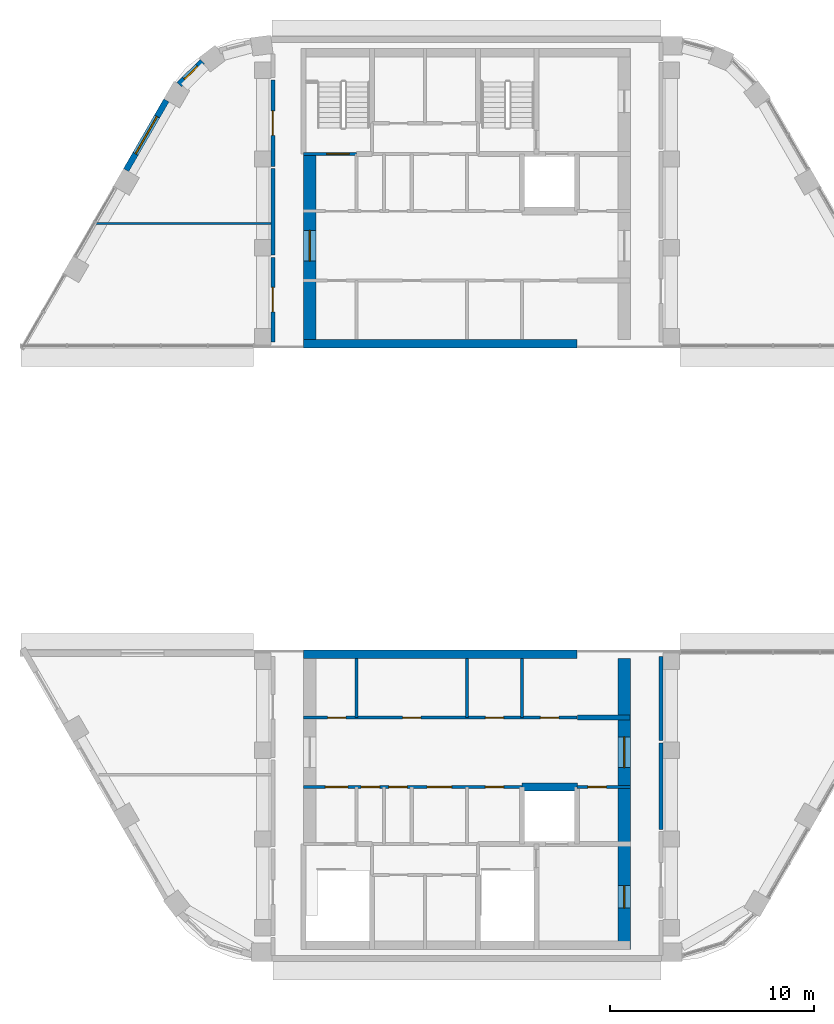
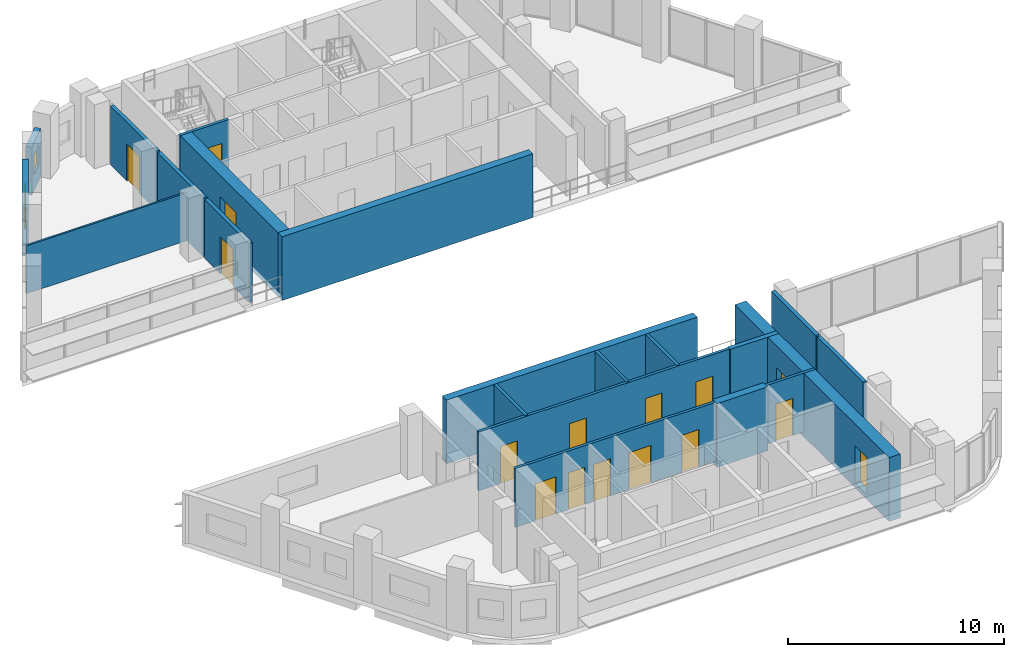
# One storey, part 9 of 13: 22 walls, 16 doors, 2 windows, 18 openings.
"""IFC4 building model written with IfcOpenShell, lengths in metres."""

from ifc_helpers import new_model, si_unit, direction, frame, frame_2d, origin, place, context, subcontext, project, spatial, rectangle, extrude, material, layer, layer_set, type_object, element, fill, save


model = new_model("IFC4")

# Units and contexts
model_context = context("Model", 3, precision=1e-05, world=origin(), true_north=direction((0.0, 1.0)))
body_context = subcontext(model_context, "Body", "Model", "MODEL_VIEW")
ifc_project = project(units=[si_unit("LENGTHUNIT", "METRE"), si_unit("AREAUNIT", "SQUARE_METRE"), si_unit("VOLUMEUNIT", "CUBIC_METRE"), si_unit("PLANEANGLEUNIT", "RADIAN"), si_unit("MASSUNIT", "GRAM", prefix="KILO")], contexts=[model_context])

# Site, building, storey
site_placement = place(None, origin())
site = spatial("IfcSite", under=ifc_project, at=site_placement, CompositionType="ELEMENT")
building_placement = place(site_placement, origin())
building = spatial("IfcBuilding", under=site, at=building_placement, Name="Nakaniwa Court", CompositionType="ELEMENT")
storey_placement = place(building_placement, frame((0.0, 0.0, 286.800048828125)))
storey = spatial("IfcBuildingStorey", under=building, at=storey_placement, Name="C05", CompositionType="ELEMENT", Elevation=286.800048828125)

# Walls
ifc_material_1 = material(Name="Acoustic double stud partition")
ifc_layer_1 = layer(ifc_material_1, 0.199951171875)
ifc_layer_set_1 = layer_set([ifc_layer_1], Name="Acoustic double stud partition")
wall_type_1 = type_object("IfcWallType", Name="Acoustic double stud partition 200", PredefinedType="PARTITIONING", material=ifc_layer_set_1)
wall_1_placement = place(storey_placement, frame((89.5, 63.826904296875, 0.0), z_axis=(0.0, 0.0, 1.0), x_axis=(0.0, 1.0, 0.0)))
element("IfcWall", 1, at=wall_1_placement, inside=storey, type_object=wall_type_1, Name="Partition PW-057", PredefinedType="PARTITIONING", context=body_context, shape_type="SweptSolid", body=[
    extrude(rectangle(XDim=4.236083984375, YDim=0.199951171875, at=frame_2d((2.1181640625, 0.0))), origin(), (0.0, 0.0, 1.0), 3.324951171875),
])
wall_2_placement = place(storey_placement, frame((89.5, 68.177001953125, 0.0), z_axis=(0.0, 0.0, 1.0), x_axis=(0.0, 1.0, 0.0)))
element("IfcWall", 2, at=wall_2_placement, inside=storey, type_object=wall_type_1, Name="Partition PW-058", PredefinedType="PARTITIONING", context=body_context, shape_type="SweptSolid", body=[
    extrude(rectangle(XDim=4.123046875, YDim=0.199951171875, at=frame_2d((2.0615234375, 0.0))), origin(), (0.0, 0.0, 1.0), 3.324951171875),
])

# Wall, opening, door
wall_3_placement = place(storey_placement, frame((70.5, 87.699951171875, 0.0), z_axis=(0.0, 0.0, 1.0), x_axis=(0.0, 1.0, 0.0)))
wall_3 = element("IfcWall", 3, at=wall_3_placement, inside=storey, type_object=wall_type_1, Name="Partition PW-067", PredefinedType="PARTITIONING", context=body_context, shape_type="SweptSolid", body=[
    extrude(rectangle(XDim=4.123046875, YDim=0.199951171875, at=frame_2d((2.0615234375, 0.0))), origin(), (0.0, 0.0, 1.0), 3.324951171875),
])
opening_1_placement = place(wall_3_placement, frame((1.4599609375, 0.0, 0.0)))
opening_1 = element("IfcOpeningElement", 4, at=opening_1_placement, cuts=wall_3, Name="Opening D-30-05", PredefinedType="OPENING", context=body_context, shape_type="SweptSolid", body=[
    extrude(rectangle(XDim=1.199951171875, YDim=2.10009765625, at=frame_2d((0.60009765625, 1.050048828125))), frame((0.0, 0.10986328125, 0.0), z_axis=(0.0, -1.0, 0.0), x_axis=(1.0, 0.0, 0.0)), (0.0, 0.0, 1.0), 0.219970703125),
])
ifc_material_2 = material(Name="Solid core timber door set, black veneer", Category="wood")
door_type_1 = type_object("IfcDoorType", Name="Internal door 1200", OperationType="NOTDEFINED", PredefinedType="DOOR", material=ifc_material_2)
door_1_placement = place(opening_1_placement, origin())
door_1 = element("IfcDoor", 5, at=door_1_placement, inside=storey, type_object=door_type_1, Name="Door D-30-05 C05-035", OperationType="SINGLE_SWING_RIGHT", OverallHeight=2.10009765625, OverallWidth=1.199951171875, PredefinedType="DOOR", context=body_context, shape_type="SweptSolid", body=[
    extrude(rectangle(XDim=1.199951171875, YDim=2.10009765625, at=frame_2d((0.60009765625, 1.050048828125))), frame((0.0, 0.02490234375, 0.0), z_axis=(0.0, -1.0, 0.0), x_axis=(1.0, 0.0, 0.0)), (0.0, 0.0, 1.0), 0.050048828125),
])
fill(opening_1, door_1)

# Wall
wall_4_placement = place(storey_placement, frame((70.5, 91.93701171875, 0.0), z_axis=(0.0, 0.0, 1.0), x_axis=(0.0, 1.0, 0.0)))
element("IfcWall", 6, at=wall_4_placement, inside=storey, type_object=wall_type_1, Name="Partition PW-068", PredefinedType="PARTITIONING", context=body_context, shape_type="SweptSolid", body=[
    extrude(rectangle(XDim=4.236083984375, YDim=0.199951171875, at=frame_2d((2.1181640625, 0.0))), origin(), (0.0, 0.0, 1.0), 3.324951171875),
])

# Wall, opening, door
wall_5_placement = place(storey_placement, frame((70.5, 96.287109375, 0.0), z_axis=(0.0, 0.0, 1.0), x_axis=(0.0, 1.0, 0.0)))
wall_5 = element("IfcWall", 7, at=wall_5_placement, inside=storey, type_object=wall_type_1, Name="Partition PW-069", PredefinedType="PARTITIONING", context=body_context, shape_type="SweptSolid", body=[
    extrude(rectangle(XDim=4.23583984375, YDim=0.199951171875, at=frame_2d((2.117919921875, 0.0))), origin(), (0.0, 0.0, 1.0), 3.324951171875),
])
opening_2_placement = place(wall_5_placement, frame((1.51806640625, 0.0, 0.0)))
opening_2 = element("IfcOpeningElement", 8, at=opening_2_placement, cuts=wall_5, Name="Opening D-30-06", PredefinedType="OPENING", context=body_context, shape_type="SweptSolid", body=[
    extrude(rectangle(XDim=1.199951171875, YDim=2.10009765625, at=frame_2d((0.60009765625, 1.050048828125))), frame((0.0, 0.10986328125, 0.0), z_axis=(0.0, -1.0, 0.0), x_axis=(1.0, 0.0, 0.0)), (0.0, 0.0, 1.0), 0.219970703125),
])
door_2_placement = place(opening_2_placement, origin())
door_2 = element("IfcDoor", 9, at=door_2_placement, inside=storey, type_object=door_type_1, Name="Door D-30-06 C05-036", OperationType="SINGLE_SWING_LEFT", OverallHeight=2.10009765625, OverallWidth=1.199951171875, PredefinedType="DOOR", context=body_context, shape_type="SweptSolid", body=[
    extrude(rectangle(XDim=1.199951171875, YDim=2.10009765625, at=frame_2d((0.60009765625, 1.050048828125))), frame((0.0, 0.02490234375, 0.0), z_axis=(0.0, -1.0, 0.0), x_axis=(1.0, 0.0, 0.0)), (0.0, 0.0, 1.0), 0.050048828125),
])
fill(opening_2, door_2)

# Wall, opening, window
ifc_material_3 = material(Name="Charcoal ceramic cladding")
ifc_layer_2 = layer(ifc_material_3, 0.02, Name="Ceramic cladding")
ifc_material_4 = material(Name="Ventilated air cavity")
ifc_layer_3 = layer(ifc_material_4, 0.04, ventilated=True, Name="Ventilated cavity")
ifc_material_5 = material(Name="Mineral wool insulation")
ifc_layer_4 = layer(ifc_material_5, 0.1, Name="Insulation")
ifc_material_6 = material(Name="Cement bonded sheathing board")
ifc_layer_5 = layer(ifc_material_6, 0.012, Name="Sheathing")
ifc_material_7 = material(Name="Cold-formed galvanised stud frame with mineral wool infill")
ifc_layer_6 = layer(ifc_material_7, 0.1, Name="Stud frame")
ifc_material_8 = material(Name="Fire-rated gypsum plasterboard lining")
ifc_layer_7 = layer(ifc_material_8, 0.028, Name="Lining")
ifc_layer_set_2 = layer_set([ifc_layer_2, ifc_layer_3, ifc_layer_4, ifc_layer_5, ifc_layer_6, ifc_layer_7], Name="Charcoal ceramic faced external wall system")
wall_type_2 = type_object("IfcWallType", Name="Black ceramic faced external wall 300", PredefinedType="SOLIDWALL", material=ifc_layer_set_2)
wall_6_placement = place(storey_placement, frame((65.2890625, 99.52001953125, 0.0), z_axis=(0.0, 0.0, 1.0), x_axis=(-0.499986771468, -0.866033041146, 0.0)))
wall_6 = element("IfcWall", 10, at=wall_6_placement, inside=storey, type_object=wall_type_2, Name="C05 external wall 13", PredefinedType="SOLIDWALL", context=body_context, shape_type="SweptSolid", body=[
    extrude(rectangle(XDim=3.9443359375, YDim=0.300048828125, at=frame_2d((1.97216796875, 0.0))), origin(), (0.0, 0.0, 1.0), 2.724853515625),
])
opening_3_placement = place(wall_6_placement, frame((0.922119140625, 0.0, 0.89990234375)))
opening_3 = element("IfcOpeningElement", 11, at=opening_3_placement, cuts=wall_6, Name="Opening W7.08", PredefinedType="OPENING", context=body_context, shape_type="SweptSolid", body=[
    extrude(rectangle(XDim=2.10009765625, YDim=1.10009765625, at=frame_2d((1.050048828125, 0.550048828125))), frame((0.0, 0.159912109375, 0.0), z_axis=(0.0, -1.0, 0.0), x_axis=(1.0, 0.0, 0.0)), (0.0, 0.0, 1.0), 0.320068359375),
])
ifc_material_9 = material(Name="Black anodised aluminium frame with dark low-E laminated double glazing", Category="aluminium")
window_type_1 = type_object("IfcWindowType", Name="Dark glass window 2100x1100 sill 900", PartitioningType="SINGLE_PANEL", PredefinedType="WINDOW", material=ifc_material_9)
window_1_placement = place(opening_3_placement, origin())
window_1 = element("IfcWindow", 12, at=window_1_placement, inside=storey, type_object=window_type_1, Name="C05 habitable room window 13-0", OverallHeight=1.10009765625, OverallWidth=2.10009765625, PartitioningType="SINGLE_PANEL", PredefinedType="WINDOW", context=body_context, shape_type="SweptSolid", body=[
    extrude(rectangle(XDim=2.10009765625, YDim=1.10009765625, at=frame_2d((1.050048828125, 0.550048828125))), frame((0.0, 0.030029296875, 0.0), z_axis=(0.0, -1.0, 0.0), x_axis=(1.0, 0.0, 0.0)), (0.0, 0.0, 1.0), 0.06005859375),
])
fill(opening_3, window_1)

wall_7_placement = place(storey_placement, frame((67.039306640625, 101.41357421875, 0.0), z_axis=(0.0, 0.0, 1.0), x_axis=(-0.708575326337, -0.705635179754, 0.0)))
wall_7 = element("IfcWall", 13, at=wall_7_placement, inside=storey, type_object=wall_type_2, Name="C05 external wall 25", PredefinedType="SOLIDWALL", context=body_context, shape_type="SweptSolid", body=[
    extrude(rectangle(XDim=1.57763671875, YDim=0.300048828125, at=frame_2d((0.788818359375, 0.0))), origin(), (0.0, 0.0, 1.0), 2.724853515625),
])
opening_4_placement = place(wall_7_placement, frame((0.328369140625, 0.0, 0.89990234375)))
opening_4 = element("IfcOpeningElement", 14, at=opening_4_placement, cuts=wall_7, Name="Opening W9.10", PredefinedType="OPENING", context=body_context, shape_type="SweptSolid", body=[
    extrude(rectangle(XDim=0.89990234375, YDim=1.10009765625, at=frame_2d((0.449951171875, 0.550048828125))), frame((0.0, 0.159912109375, 0.0), z_axis=(0.0, -1.0, 0.0), x_axis=(1.0, 0.0, 0.0)), (0.0, 0.0, 1.0), 0.320068359375),
])
window_type_2 = type_object("IfcWindowType", Name="Dark glass window 900x1100 sill 900", PartitioningType="SINGLE_PANEL", PredefinedType="WINDOW", material=ifc_material_9)
window_2_placement = place(opening_4_placement, origin())
window_2 = element("IfcWindow", 15, at=window_2_placement, inside=storey, type_object=window_type_2, Name="C05 habitable room window 25-0", OverallHeight=1.10009765625, OverallWidth=0.89990234375, PartitioningType="SINGLE_PANEL", PredefinedType="WINDOW", context=body_context, shape_type="SweptSolid", body=[
    extrude(rectangle(XDim=0.89990234375, YDim=1.10009765625, at=frame_2d((0.449951171875, 0.550048828125))), frame((0.0, 0.030029296875, 0.0), z_axis=(0.0, -1.0, 0.0), x_axis=(1.0, 0.0, 0.0)), (0.0, 0.0, 1.0), 0.06005859375),
])
fill(opening_4, window_2)

# Wall
ifc_material_10 = material(Name="Blockwork partition", Category="masonry")
ifc_layer_8 = layer(ifc_material_10, 0.14990234375)
ifc_layer_set_3 = layer_set([ifc_layer_8], Name="Blockwork partition")
wall_type_3 = type_object("IfcWallType", Name="Blockwork partition 150", PredefinedType="PARTITIONING", material=ifc_layer_set_3)
wall_8_placement = place(storey_placement, frame((74.60009765625, 69.300048828125, 0.0), z_axis=(0.0, 0.0, 1.0), x_axis=(0.0, 1.0, 0.0)))
element("IfcWall", 16, at=wall_8_placement, inside=storey, type_object=wall_type_3, Name="Partition PW-029", PredefinedType="PARTITIONING", context=body_context, shape_type="SweptSolid", body=[
    extrude(rectangle(XDim=2.89990234375, YDim=0.14990234375, at=frame_2d((1.449951171875, 0.0))), origin(), (0.0, 0.0, 1.0), 3.324951171875),
])

# Wall, openings, doors
wall_9_placement = place(storey_placement, frame((72.0, 69.300048828125, 0.0), z_axis=(0.0, 0.0, 1.0), x_axis=(1.0, 0.0, 0.0)))
wall_9 = element("IfcWall", 17, at=wall_9_placement, inside=storey, type_object=wall_type_3, Name="Partition PW-030", PredefinedType="PARTITIONING", context=body_context, shape_type="SweptSolid", body=[
    extrude(rectangle(XDim=13.39990234375, YDim=0.14990234375, at=frame_2d((6.699951171875, 0.0))), origin(), (0.0, 0.0, 1.0), 3.324951171875),
])
opening_5_placement = place(wall_9_placement, frame((1.175048828125, 0.0, 0.0)))
opening_5 = element("IfcOpeningElement", 18, at=opening_5_placement, cuts=wall_9, Name="Opening D-05-11", PredefinedType="OPENING", context=body_context, shape_type="SweptSolid", body=[
    extrude(rectangle(XDim=0.89990234375, YDim=2.10009765625, at=frame_2d((0.449951171875, 1.050048828125))), frame((0.0, 0.0849609375, 0.0), z_axis=(0.0, -1.0, 0.0), x_axis=(1.0, 0.0, 0.0)), (0.0, 0.0, 1.0), 0.169921875),
])
opening_6_placement = place(wall_9_placement, frame((4.85009765625, 0.0, 0.0)))
opening_6 = element("IfcOpeningElement", 19, at=opening_6_placement, cuts=wall_9, Name="Opening D-05-12", PredefinedType="OPENING", context=body_context, shape_type="SweptSolid", body=[
    extrude(rectangle(XDim=0.89990234375, YDim=2.10009765625, at=frame_2d((0.449951171875, 1.050048828125))), frame((0.0, 0.0849609375, 0.0), z_axis=(0.0, -1.0, 0.0), x_axis=(1.0, 0.0, 0.0)), (0.0, 0.0, 1.0), 0.169921875),
])
opening_7_placement = place(wall_9_placement, frame((8.89990234375, 0.0, 0.0)))
opening_7 = element("IfcOpeningElement", 20, at=opening_7_placement, cuts=wall_9, Name="Opening D-05-13", PredefinedType="OPENING", context=body_context, shape_type="SweptSolid", body=[
    extrude(rectangle(XDim=0.89990234375, YDim=2.10009765625, at=frame_2d((0.449951171875, 1.050048828125))), frame((0.0, 0.0849609375, 0.0), z_axis=(0.0, -1.0, 0.0), x_axis=(1.0, 0.0, 0.0)), (0.0, 0.0, 1.0), 0.169921875),
])
opening_8_placement = place(wall_9_placement, frame((11.60009765625, 0.0, 0.0)))
opening_8 = element("IfcOpeningElement", 21, at=opening_8_placement, cuts=wall_9, Name="Opening D-05-14", PredefinedType="OPENING", context=body_context, shape_type="SweptSolid", body=[
    extrude(rectangle(XDim=0.89990234375, YDim=2.10009765625, at=frame_2d((0.449951171875, 1.050048828125))), frame((0.0, 0.0849609375, 0.0), z_axis=(0.0, -1.0, 0.0), x_axis=(1.0, 0.0, 0.0)), (0.0, 0.0, 1.0), 0.169921875),
])
ifc_material_11 = material(Name="Fire rated steel door set", Category="steel")
door_type_2 = type_object("IfcDoorType", Name="Service room door 900", OperationType="NOTDEFINED", PredefinedType="DOOR", material=ifc_material_11)
door_3_placement = place(opening_5_placement, origin())
door_3 = element("IfcDoor", 22, at=door_3_placement, inside=storey, type_object=door_type_2, Name="Door D-05-11 C05-016", OperationType="SINGLE_SWING_LEFT", OverallHeight=2.10009765625, OverallWidth=0.89990234375, PredefinedType="DOOR", context=body_context, shape_type="SweptSolid", body=[
    extrude(rectangle(XDim=0.89990234375, YDim=2.10009765625, at=frame_2d((0.449951171875, 1.050048828125))), frame((0.0, 0.02490234375, 0.0), z_axis=(0.0, -1.0, 0.0), x_axis=(1.0, 0.0, 0.0)), (0.0, 0.0, 1.0), 0.050048828125),
])
fill(opening_5, door_3)
door_4_placement = place(opening_6_placement, origin())
door_4 = element("IfcDoor", 23, at=door_4_placement, inside=storey, type_object=door_type_2, Name="Door D-05-12 C05-017", OperationType="SINGLE_SWING_RIGHT", OverallHeight=2.10009765625, OverallWidth=0.89990234375, PredefinedType="DOOR", context=body_context, shape_type="SweptSolid", body=[
    extrude(rectangle(XDim=0.89990234375, YDim=2.10009765625, at=frame_2d((0.449951171875, 1.050048828125))), frame((0.0, 0.02490234375, 0.0), z_axis=(0.0, -1.0, 0.0), x_axis=(1.0, 0.0, 0.0)), (0.0, 0.0, 1.0), 0.050048828125),
])
fill(opening_6, door_4)
door_5_placement = place(opening_7_placement, origin())
door_5 = element("IfcDoor", 24, at=door_5_placement, inside=storey, type_object=door_type_2, Name="Door D-05-13 C05-018", OperationType="SINGLE_SWING_LEFT", OverallHeight=2.10009765625, OverallWidth=0.89990234375, PredefinedType="DOOR", context=body_context, shape_type="SweptSolid", body=[
    extrude(rectangle(XDim=0.89990234375, YDim=2.10009765625, at=frame_2d((0.449951171875, 1.050048828125))), frame((0.0, 0.02490234375, 0.0), z_axis=(0.0, -1.0, 0.0), x_axis=(1.0, 0.0, 0.0)), (0.0, 0.0, 1.0), 0.050048828125),
])
fill(opening_7, door_5)
door_6_placement = place(opening_8_placement, origin())
door_6 = element("IfcDoor", 25, at=door_6_placement, inside=storey, type_object=door_type_2, Name="Door D-05-14 C05-019", OperationType="SINGLE_SWING_RIGHT", OverallHeight=2.10009765625, OverallWidth=0.89990234375, PredefinedType="DOOR", context=body_context, shape_type="SweptSolid", body=[
    extrude(rectangle(XDim=0.89990234375, YDim=2.10009765625, at=frame_2d((0.449951171875, 1.050048828125))), frame((0.0, 0.02490234375, 0.0), z_axis=(0.0, -1.0, 0.0), x_axis=(1.0, 0.0, 0.0)), (0.0, 0.0, 1.0), 0.050048828125),
])
fill(opening_8, door_6)

# Walls
for number, where, z_axis, x_axis, name in (
    (26, (80.0, 69.300048828125, 0.0), (0.0, 0.0, 1.0), (0.0, 1.0, 0.0), "Partition PW-033"),
    (27, (82.699951171875, 69.300048828125, 0.0), (0.0, 0.0, 1.0), (0.0, 1.0, 0.0), "Partition PW-034"),
):
    element("IfcWall", number, at=place(storey_placement, frame(where, z_axis=z_axis, x_axis=x_axis)), inside=storey, type_object=wall_type_3, Name=name, PredefinedType="PARTITIONING", context=body_context, shape_type="SweptSolid", body=[
        extrude(rectangle(XDim=2.89990234375, YDim=0.14990234375, at=frame_2d((1.449951171875, 0.0))), origin(), (0.0, 0.0, 1.0), 3.324951171875),
    ])

# Wall, openings, doors
wall_10_placement = place(storey_placement, frame((82.702880859375, 65.89990234375, 0.0), z_axis=(0.0, 0.0, 1.0), x_axis=(-1.0, 0.0, 0.0)))
wall_10 = element("IfcWall", 28, at=wall_10_placement, inside=storey, type_object=wall_type_3, Name="Partition PW-035", PredefinedType="PARTITIONING", context=body_context, shape_type="SweptSolid", body=[
    extrude(rectangle(XDim=10.702880859375, YDim=0.14990234375, at=frame_2d((5.3515625, 0.0))), origin(), (0.0, 0.0, 1.0), 3.324951171875),
])
opening_9_placement = place(wall_10_placement, frame((8.528076171875, 0.0, 0.0)))
opening_9 = element("IfcOpeningElement", 29, at=opening_9_placement, cuts=wall_10, Name="Opening D-08-02", PredefinedType="OPENING", context=body_context, shape_type="SweptSolid", body=[
    extrude(rectangle(XDim=1.10009765625, YDim=2.10009765625, at=frame_2d((0.550048828125, 1.050048828125))), frame((0.0, 0.0849609375, 0.0), z_axis=(0.0, -1.0, 0.0), x_axis=(1.0, 0.0, 0.0)), (0.0, 0.0, 1.0), 0.169921875),
])
opening_10_placement = place(wall_10_placement, frame((6.97802734375, 0.0, 0.0)))
opening_10 = element("IfcOpeningElement", 30, at=opening_10_placement, cuts=wall_10, Name="Opening D-05-15", PredefinedType="OPENING", context=body_context, shape_type="SweptSolid", body=[
    extrude(rectangle(XDim=0.89990234375, YDim=2.10009765625, at=frame_2d((0.449951171875, 1.050048828125))), frame((0.0, 0.0849609375, 0.0), z_axis=(0.0, -1.0, 0.0), x_axis=(1.0, 0.0, 0.0)), (0.0, 0.0, 1.0), 0.169921875),
])
opening_11_placement = place(wall_10_placement, frame((5.6279296875, 0.0, 0.0)))
opening_11 = element("IfcOpeningElement", 31, at=opening_11_placement, cuts=wall_10, Name="Opening D-05-16", PredefinedType="OPENING", context=body_context, shape_type="SweptSolid", body=[
    extrude(rectangle(XDim=0.89990234375, YDim=2.10009765625, at=frame_2d((0.449951171875, 1.050048828125))), frame((0.0, 0.0849609375, 0.0), z_axis=(0.0, -1.0, 0.0), x_axis=(1.0, 0.0, 0.0)), (0.0, 0.0, 1.0), 0.169921875),
])
opening_12_placement = place(wall_10_placement, frame((3.452880859375, 0.0, 0.0)))
opening_12 = element("IfcOpeningElement", 32, at=opening_12_placement, cuts=wall_10, Name="Opening D-06-02", PredefinedType="OPENING", context=body_context, shape_type="SweptSolid", body=[
    extrude(rectangle(XDim=1.199951171875, YDim=2.10009765625, at=frame_2d((0.60009765625, 1.050048828125))), frame((0.0, 0.0849609375, 0.0), z_axis=(0.0, -1.0, 0.0), x_axis=(1.0, 0.0, 0.0)), (0.0, 0.0, 1.0), 0.169921875),
])
opening_13_placement = place(wall_10_placement, frame((0.903076171875, 0.0, 0.0)))
opening_13 = element("IfcOpeningElement", 33, at=opening_13_placement, cuts=wall_10, Name="Opening D-05-17", PredefinedType="OPENING", context=body_context, shape_type="SweptSolid", body=[
    extrude(rectangle(XDim=0.89990234375, YDim=2.10009765625, at=frame_2d((0.449951171875, 1.050048828125))), frame((0.0, 0.0849609375, 0.0), z_axis=(0.0, -1.0, 0.0), x_axis=(1.0, 0.0, 0.0)), (0.0, 0.0, 1.0), 0.169921875),
])
ifc_material_12 = material(Name="Fire rated steel double door set", Category="steel")
door_type_3 = type_object("IfcDoorType", Name="Service passage double door 1200", OperationType="NOTDEFINED", PredefinedType="DOOR", material=ifc_material_12)
door_7_placement = place(opening_12_placement, origin())
door_7 = element("IfcDoor", 34, at=door_7_placement, inside=storey, type_object=door_type_3, Name="Door D-06-02 C05-023", OperationType="DOUBLE_DOOR_SINGLE_SWING", OverallHeight=2.10009765625, OverallWidth=1.199951171875, PredefinedType="DOOR", context=body_context, shape_type="SweptSolid", body=[
    extrude(rectangle(XDim=1.199951171875, YDim=2.10009765625, at=frame_2d((0.60009765625, 1.050048828125))), frame((0.0, 0.02490234375, 0.0), z_axis=(0.0, -1.0, 0.0), x_axis=(1.0, 0.0, 0.0)), (0.0, 0.0, 1.0), 0.050048828125),
])
fill(opening_12, door_7)
door_8_placement = place(opening_10_placement, origin())
door_8 = element("IfcDoor", 35, at=door_8_placement, inside=storey, type_object=door_type_2, Name="Door D-05-15 C05-021", OperationType="SINGLE_SWING_RIGHT", OverallHeight=2.10009765625, OverallWidth=0.89990234375, PredefinedType="DOOR", context=body_context, shape_type="SweptSolid", body=[
    extrude(rectangle(XDim=0.89990234375, YDim=2.10009765625, at=frame_2d((0.449951171875, 1.050048828125))), frame((0.0, 0.02490234375, 0.0), z_axis=(0.0, -1.0, 0.0), x_axis=(1.0, 0.0, 0.0)), (0.0, 0.0, 1.0), 0.050048828125),
])
fill(opening_10, door_8)
door_9_placement = place(opening_11_placement, origin())
door_9 = element("IfcDoor", 36, at=door_9_placement, inside=storey, type_object=door_type_2, Name="Door D-05-16 C05-022", OperationType="SINGLE_SWING_LEFT", OverallHeight=2.10009765625, OverallWidth=0.89990234375, PredefinedType="DOOR", context=body_context, shape_type="SweptSolid", body=[
    extrude(rectangle(XDim=0.89990234375, YDim=2.10009765625, at=frame_2d((0.449951171875, 1.050048828125))), frame((0.0, 0.02490234375, 0.0), z_axis=(0.0, -1.0, 0.0), x_axis=(1.0, 0.0, 0.0)), (0.0, 0.0, 1.0), 0.050048828125),
])
fill(opening_11, door_9)
door_10_placement = place(opening_13_placement, origin())
door_10 = element("IfcDoor", 37, at=door_10_placement, inside=storey, type_object=door_type_2, Name="Door D-05-17 C05-024", OperationType="SINGLE_SWING_LEFT", OverallHeight=2.10009765625, OverallWidth=0.89990234375, PredefinedType="DOOR", context=body_context, shape_type="SweptSolid", body=[
    extrude(rectangle(XDim=0.89990234375, YDim=2.10009765625, at=frame_2d((0.449951171875, 1.050048828125))), frame((0.0, 0.02490234375, 0.0), z_axis=(0.0, -1.0, 0.0), x_axis=(1.0, 0.0, 0.0)), (0.0, 0.0, 1.0), 0.050048828125),
])
fill(opening_13, door_10)
door_type_4 = type_object("IfcDoorType", Name="Stair lobby door 1100", OperationType="NOTDEFINED", PredefinedType="DOOR", material=ifc_material_11)
door_11_placement = place(opening_9_placement, origin())
door_11 = element("IfcDoor", 38, at=door_11_placement, inside=storey, type_object=door_type_4, Name="Door D-08-02 C05-020", OperationType="SINGLE_SWING_LEFT", OverallHeight=2.10009765625, OverallWidth=1.10009765625, PredefinedType="DOOR", context=body_context, shape_type="SweptSolid", body=[
    extrude(rectangle(XDim=1.10009765625, YDim=2.10009765625, at=frame_2d((0.550048828125, 1.050048828125))), frame((0.0, 0.02490234375, 0.0), z_axis=(0.0, -1.0, 0.0), x_axis=(1.0, 0.0, 0.0)), (0.0, 0.0, 1.0), 0.050048828125),
])
fill(opening_9, door_11)

# Wall, opening, door
wall_11_placement = place(storey_placement, frame((88.0, 65.89990234375, 0.0), z_axis=(0.0, 0.0, 1.0), x_axis=(-1.0, 0.0, 0.0)))
wall_11 = element("IfcWall", 39, at=wall_11_placement, inside=storey, type_object=wall_type_3, Name="Partition PW-036", PredefinedType="PARTITIONING", context=body_context, shape_type="SweptSolid", body=[
    extrude(rectangle(XDim=2.60302734375, YDim=0.14990234375, at=frame_2d((1.301513671875, 0.0))), origin(), (0.0, 0.0, 1.0), 3.324951171875),
])
opening_14_placement = place(wall_11_placement, frame((1.175048828125, 0.0, 0.0)))
opening_14 = element("IfcOpeningElement", 40, at=opening_14_placement, cuts=wall_11, Name="Opening D-05-18", PredefinedType="OPENING", context=body_context, shape_type="SweptSolid", body=[
    extrude(rectangle(XDim=0.89990234375, YDim=2.10009765625, at=frame_2d((0.449951171875, 1.050048828125))), frame((0.0, 0.0849609375, 0.0), z_axis=(0.0, -1.0, 0.0), x_axis=(1.0, 0.0, 0.0)), (0.0, 0.0, 1.0), 0.169921875),
])
door_12_placement = place(opening_14_placement, origin())
door_12 = element("IfcDoor", 41, at=door_12_placement, inside=storey, type_object=door_type_2, Name="Door D-05-18 C05-025", OperationType="SINGLE_SWING_RIGHT", OverallHeight=2.10009765625, OverallWidth=0.89990234375, PredefinedType="DOOR", context=body_context, shape_type="SweptSolid", body=[
    extrude(rectangle(XDim=0.89990234375, YDim=2.10009765625, at=frame_2d((0.449951171875, 1.050048828125))), frame((0.0, 0.02490234375, 0.0), z_axis=(0.0, -1.0, 0.0), x_axis=(1.0, 0.0, 0.0)), (0.0, 0.0, 1.0), 0.050048828125),
])
fill(opening_14, door_12)

ifc_material_13 = material(Name="Concrete C80/100", Category="concrete")
ifc_layer_9 = layer(ifc_material_13, 0.60009765625)
ifc_layer_set_4 = layer_set([ifc_layer_9], Name="Concrete C80/100")
wall_type_4 = type_object("IfcWallType", Name="Concrete core side wall 600 C80", PredefinedType="SHEAR", material=ifc_layer_set_4)
wall_12_placement = place(storey_placement, frame((72.300048828125, 87.800048828125, -0.275146484375), z_axis=(0.0, 0.0, 1.0), x_axis=(0.0, 1.0, 0.0)))
wall_12 = element("IfcWall", 42, at=wall_12_placement, inside=storey, type_object=wall_type_4, Name="Core wall SW-04", PredefinedType="SHEAR", context=body_context, shape_type="SweptSolid", body=[
    extrude(rectangle(XDim=9.099853515625, YDim=0.60009765625, at=frame_2d((4.5498046875, 0.0))), origin(), (0.0, 0.0, 1.0), 3.60009765625),
])
opening_15_placement = place(wall_12_placement, frame((3.85009765625, 0.0, 0.27490234375)))
opening_15 = element("IfcOpeningElement", 43, at=opening_15_placement, cuts=wall_12, Name="Opening D-07-02", PredefinedType="OPENING", context=body_context, shape_type="SweptSolid", body=[
    extrude(rectangle(XDim=1.5, YDim=2.10009765625, at=frame_2d((0.75, 1.050048828125))), frame((0.0, 0.31005859375, 0.0), z_axis=(0.0, -1.0, 0.0), x_axis=(1.0, 0.0, 0.0)), (0.0, 0.0, 1.0), 0.6201171875),
])
ifc_material_14 = material(Name="Glazed fire rated steel double door set", Category="steel")
door_type_5 = type_object("IfcDoorType", Name="Lobby double door 1500", OperationType="NOTDEFINED", PredefinedType="DOOR", material=ifc_material_14)
door_13_placement = place(opening_15_placement, origin())
door_13 = element("IfcDoor", 44, at=door_13_placement, inside=storey, type_object=door_type_5, Name="Door D-07-02 C05-038", OperationType="DOUBLE_DOOR_SINGLE_SWING", OverallHeight=2.10009765625, OverallWidth=1.5, PredefinedType="DOOR", context=body_context, shape_type="SweptSolid", body=[
    extrude(rectangle(XDim=1.5, YDim=2.10009765625, at=frame_2d((0.75, 1.050048828125))), frame((0.0, 0.02490234375, 0.0), z_axis=(0.0, -1.0, 0.0), x_axis=(1.0, 0.0, 0.0)), (0.0, 0.0, 1.0), 0.050048828125),
])
fill(opening_15, door_13)

# Wall, openings, doors
wall_13_placement = place(storey_placement, frame((87.699951171875, 69.300048828125, -0.275146484375), z_axis=(0.0, 0.0, 1.0), x_axis=(0.0, -1.0, 0.0)))
wall_13 = element("IfcWall", 45, at=wall_13_placement, inside=storey, type_object=wall_type_4, Name="Core wall SW-38", PredefinedType="SHEAR", context=body_context, shape_type="SweptSolid", body=[
    extrude(rectangle(XDim=11.35009765625, YDim=0.60009765625, at=frame_2d((5.675048828125, 0.0))), origin(), (0.0, 0.0, 1.0), 3.60009765625),
])
opening_16_placement = place(wall_13_placement, frame((0.949951171875, 0.0, 0.27490234375)))
opening_16 = element("IfcOpeningElement", 46, at=opening_16_placement, cuts=wall_13, Name="Opening D-07-03", PredefinedType="OPENING", context=body_context, shape_type="SweptSolid", body=[
    extrude(rectangle(XDim=1.5, YDim=2.10009765625, at=frame_2d((0.75, 1.050048828125))), frame((0.0, 0.31005859375, 0.0), z_axis=(0.0, -1.0, 0.0), x_axis=(1.0, 0.0, 0.0)), (0.0, 0.0, 1.0), 0.6201171875),
])
opening_17_placement = place(wall_13_placement, frame((8.22509765625, 0.0, 0.27490234375)))
opening_17 = element("IfcOpeningElement", 47, at=opening_17_placement, cuts=wall_13, Name="Opening D-10-02", PredefinedType="OPENING", context=body_context, shape_type="SweptSolid", body=[
    extrude(rectangle(XDim=1.10009765625, YDim=2.10009765625, at=frame_2d((0.550048828125, 1.050048828125))), frame((0.0, 0.31005859375, 0.0), z_axis=(0.0, -1.0, 0.0), x_axis=(1.0, 0.0, 0.0)), (0.0, 0.0, 1.0), 0.6201171875),
])
door_type_6 = type_object("IfcDoorType", Name="Firefighting lobby door 1100", OperationType="NOTDEFINED", PredefinedType="DOOR", material=ifc_material_11)
door_14_placement = place(opening_17_placement, origin())
door_14 = element("IfcDoor", 48, at=door_14_placement, inside=storey, type_object=door_type_6, Name="Door D-10-02 C05-042", OperationType="SINGLE_SWING_LEFT", OverallHeight=2.10009765625, OverallWidth=1.10009765625, PredefinedType="DOOR", context=body_context, shape_type="SweptSolid", body=[
    extrude(rectangle(XDim=1.10009765625, YDim=2.10009765625, at=frame_2d((0.550048828125, 1.050048828125))), frame((0.0, 0.02490234375, 0.0), z_axis=(0.0, -1.0, 0.0), x_axis=(1.0, 0.0, 0.0)), (0.0, 0.0, 1.0), 0.050048828125),
])
fill(opening_17, door_14)
door_15_placement = place(opening_16_placement, origin())
door_15 = element("IfcDoor", 49, at=door_15_placement, inside=storey, type_object=door_type_5, Name="Door D-07-03 C05-040", OperationType="DOUBLE_DOOR_SINGLE_SWING", OverallHeight=2.10009765625, OverallWidth=1.5, PredefinedType="DOOR", context=body_context, shape_type="SweptSolid", body=[
    extrude(rectangle(XDim=1.5, YDim=2.10009765625, at=frame_2d((0.75, 1.050048828125))), frame((0.0, 0.02490234375, 0.0), z_axis=(0.0, -1.0, 0.0), x_axis=(1.0, 0.0, 0.0)), (0.0, 0.0, 1.0), 0.050048828125),
])
fill(opening_16, door_15)

# Walls
wall_14_placement = place(storey_placement, frame((87.699951171875, 69.303955078125, -0.275146484375), z_axis=(0.0, 0.0, 1.0), x_axis=(0.0, 1.0, 0.0)))
element("IfcWall", 50, at=wall_14_placement, inside=storey, type_object=wall_type_4, Name="Core wall SW-78", PredefinedType="SHEAR", context=body_context, shape_type="SweptSolid", body=[
    extrude(rectangle(XDim=2.89599609375, YDim=0.60009765625, at=frame_2d((1.447998046875, 0.0))), origin(), (0.0, 0.0, 1.0), 3.60009765625),
])
ifc_layer_10 = layer(ifc_material_13, 0.39990234375)
ifc_layer_set_5 = layer_set([ifc_layer_10], Name="Concrete C80/100")
wall_type_5 = type_object("IfcWallType", Name="Concrete core spine wall 400 C80", PredefinedType="SHEAR", material=ifc_layer_set_5)
wall_15_placement = place(storey_placement, frame((82.697021484375, 65.89990234375, -0.275146484375), z_axis=(0.0, 0.0, 1.0), x_axis=(1.0, 0.0, 0.0)))
element("IfcWall", 51, at=wall_15_placement, inside=storey, type_object=wall_type_5, Name="Core wall SW-37", PredefinedType="SHEAR", context=body_context, shape_type="SweptSolid", body=[
    extrude(rectangle(XDim=2.7060546875, YDim=0.39990234375, at=frame_2d((1.35302734375, 0.0))), origin(), (0.0, 0.0, 1.0), 3.60009765625),
])

# Wall, opening, door
ifc_layer_11 = layer(ifc_material_13, 0.14990234375)
ifc_layer_set_6 = layer_set([ifc_layer_11], Name="Concrete C80/100")
wall_type_6 = type_object("IfcWallType", Name="Concrete core wall 150 C80", PredefinedType="SHEAR", material=ifc_layer_set_6)
wall_16_placement = place(storey_placement, frame((74.60009765625, 96.89990234375, -0.275146484375), z_axis=(0.0, 0.0, 1.0), x_axis=(-1.0, 0.0, 0.0)))
wall_16 = element("IfcWall", 52, at=wall_16_placement, inside=storey, type_object=wall_type_6, Name="Core wall SW-12", PredefinedType="SHEAR", context=body_context, shape_type="SweptSolid", body=[
    extrude(rectangle(XDim=2.60009765625, YDim=0.14990234375, at=frame_2d((1.300048828125, 0.0))), origin(), (0.0, 0.0, 1.0), 3.60009765625),
])
opening_18_placement = place(wall_16_placement, frame((0.3701171875, 0.0, 0.27490234375)))
opening_18 = element("IfcOpeningElement", 53, at=opening_18_placement, cuts=wall_16, Name="Opening D-09-01", PredefinedType="OPENING", context=body_context, shape_type="SweptSolid", body=[
    extrude(rectangle(XDim=1.10009765625, YDim=2.10009765625, at=frame_2d((0.550048828125, 1.050048828125))), frame((0.0, 0.0849609375, 0.0), z_axis=(0.0, -1.0, 0.0), x_axis=(1.0, 0.0, 0.0)), (0.0, 0.0, 1.0), 0.169921875),
])
door_type_7 = type_object("IfcDoorType", Name="Stair door 1100", OperationType="NOTDEFINED", PredefinedType="DOOR", material=ifc_material_11)
door_16_placement = place(opening_18_placement, origin())
door_16 = element("IfcDoor", 54, at=door_16_placement, inside=storey, type_object=door_type_7, Name="Door D-09-01 C05-014", OperationType="SINGLE_SWING_RIGHT", OverallHeight=2.10009765625, OverallWidth=1.10009765625, PredefinedType="DOOR", context=body_context, shape_type="SweptSolid", body=[
    extrude(rectangle(XDim=1.10009765625, YDim=2.10009765625, at=frame_2d((0.550048828125, 1.050048828125))), frame((0.0, 0.02490234375, 0.0), z_axis=(0.0, -1.0, 0.0), x_axis=(1.0, 0.0, 0.0)), (0.0, 0.0, 1.0), 0.050048828125),
])
fill(opening_18, door_16)

# Walls
ifc_layer_12 = layer(ifc_material_13, 0.39990234375)
ifc_layer_set_7 = layer_set([ifc_layer_12], Name="Concrete C80/100")
wall_type_7 = type_object("IfcWallType", Name="Concrete core well wall 400 C80", PredefinedType="SHEAR", material=ifc_layer_set_7)
for number, where, z_axis, x_axis, name in (
    (55, (72.00390625, 87.60009765625, -0.275146484375), (0.0, 0.0, 1.0), (1.0, 0.0, 0.0), "Core wall SW-73"),
    (56, (72.00390625, 72.39990234375, -0.275146484375), (0.0, 0.0, 1.0), (1.0, 0.0, 0.0), "Core wall SW-77"),
):
    element("IfcWall", number, at=place(storey_placement, frame(where, z_axis=z_axis, x_axis=x_axis)), inside=storey, type_object=wall_type_7, Name=name, PredefinedType="SHEAR", context=body_context, shape_type="SweptSolid", body=[
        extrude(rectangle(XDim=13.39599609375, YDim=0.39990234375, at=frame_2d((6.697998046875, 0.0))), origin(), (0.0, 0.0, 1.0), 3.60009765625),
    ])
ifc_layer_13 = layer(ifc_material_13, 0.25)
ifc_layer_set_8 = layer_set([ifc_layer_13], Name="Concrete C80/100")
wall_type_8 = type_object("IfcWallType", Name="Concrete shaft wall 250 C80", PredefinedType="SHEAR", material=ifc_layer_set_8)
wall_17_placement = place(storey_placement, frame((85.404052734375, 69.300048828125, -0.275146484375), z_axis=(0.0, 0.0, 1.0), x_axis=(1.0, 0.0, 0.0)))
element("IfcWall", 57, at=wall_17_placement, inside=storey, type_object=wall_type_8, Name="Core wall SW-79", PredefinedType="SHEAR", context=body_context, shape_type="SweptSolid", body=[
    extrude(rectangle(XDim=2.592041015625, YDim=0.25, at=frame_2d((1.2958984375, 0.0))), origin(), (0.0, 0.0, 1.0), 3.60009765625),
])
ifc_material_15 = material(Name="Single stud plasterboard partition")
ifc_layer_14 = layer(ifc_material_15, 0.10009765625)
ifc_layer_set_9 = layer_set([ifc_layer_14], Name="Single stud plasterboard partition")
wall_type_9 = type_object("IfcWallType", Name="Single stud plasterboard partition 100", PredefinedType="PARTITIONING", material=ifc_layer_set_9)
wall_18_placement = place(storey_placement, frame((61.843505859375, 93.5, 0.0), z_axis=(0.0, 0.0, 1.0), x_axis=(1.0, 0.0, 0.0)))
element("IfcWall", 58, at=wall_18_placement, inside=storey, type_object=wall_type_9, Name="Partition PW-072", PredefinedType="PARTITIONING", context=body_context, shape_type="SweptSolid", body=[
    extrude(rectangle(XDim=8.656494140625, YDim=0.10009765625, at=frame_2d((4.328125, 0.0))), origin(), (0.0, 0.0, 1.0), 2.704833984375),
])

save(model, "model.ifc")
